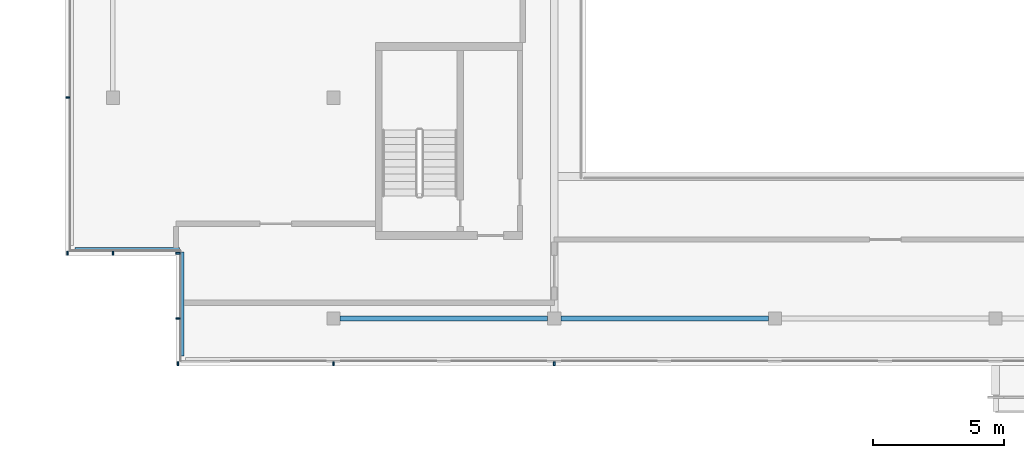
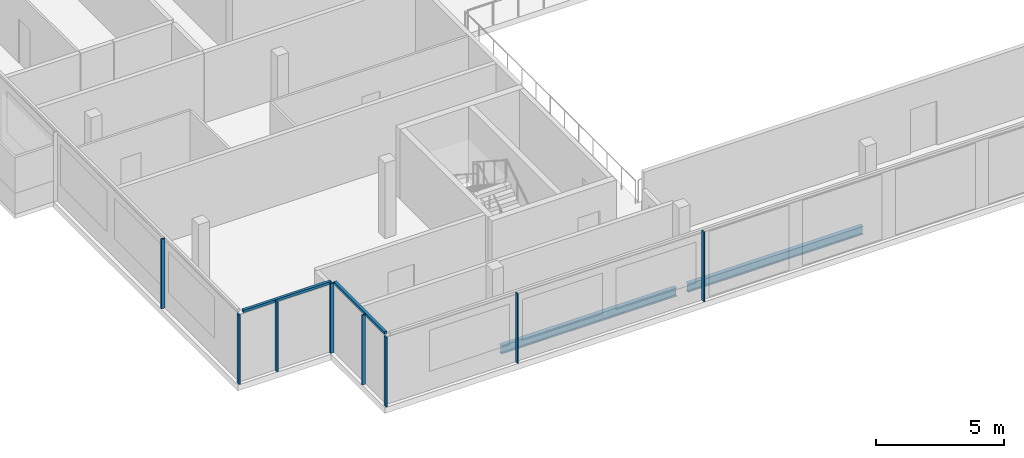
# One storey, part 2 of 21: 10 members, 2 beams, 4 elements without a shape of their own.
"""IFC4 building model written with IfcOpenShell, lengths in metres."""

import ifcopenshell
import ifcopenshell.guid

model = None  # the IFC model being written
_history = None  # IfcOwnerHistory: only IFC2X3 demands one
_inside = {}  # id of a spatial element -> (the spatial element, [elements in it])
_under = {}  # id of a project, library or spatial element -> (it, [spatial elements below it])
_declared = {}  # id of a project -> (the project, [libraries it declares])
_typed = {}  # id of a type object -> (the type object, [elements of that type])
_made_of = {}  # id of a material, layer set ... -> (it, [elements and type objects made of it])


def new_model(schema):
    """Start an empty IFC model of exactly this schema.

    Asked for "IFC4X3", IfcOpenShell would pick the latest addendum, in which some entities
    have other attributes; the version numbers below select the first issue.
    IFC2X3 requires an IfcOwnerHistory on every rooted entity: one is made here for all.
    """
    global model, _history
    if schema == "IFC4X3":
        model = ifcopenshell.file(schema_version=(4, 3, 0, 0))
    else:
        model = ifcopenshell.file(schema=schema)
    _inside.clear()
    _under.clear()
    _declared.clear()
    _typed.clear()
    _made_of.clear()
    _history = None
    if model.schema == "IFC2X3":
        org = make("IfcOrganization", Name="unknown")
        user = make(
            "IfcPersonAndOrganization",
            ThePerson=make("IfcPerson", FamilyName="unknown"),
            TheOrganization=org,
        )
        app = make(
            "IfcApplication",
            ApplicationDeveloper=org,
            Version="unknown",
            ApplicationFullName="unknown",
            ApplicationIdentifier="unknown",
        )
        _history = make(
            "IfcOwnerHistory",
            OwningUser=user,
            OwningApplication=app,
            ChangeAction="ADDED",
            CreationDate=0,
        )
    return model


def make(cls, **values):
    """One entity of the class cls with the attributes given. An attribute that is None is left unset."""
    return model.create_entity(
        cls, **{name: value for name, value in values.items() if value is not None}
    )


def rooted(cls, **values):
    """An entity with a GlobalId (a new one), such as an element, a storey or a relation."""
    return make(cls, GlobalId=ifcopenshell.guid.new(), OwnerHistory=_history, **values)


def si_unit(unit_type, name, prefix=None):
    """IfcSIUnit, for example si_unit("LENGTHUNIT", "METRE", prefix="MILLI")."""
    return make("IfcSIUnit", UnitType=unit_type, Prefix=prefix, Name=name)


def assignment(units):
    """IfcUnitAssignment: the units of a project."""
    return None if units is None else make("IfcUnitAssignment", Units=units)


def point(xyz):
    """IfcCartesianPoint."""
    return None if xyz is None else make("IfcCartesianPoint", Coordinates=xyz)


def direction(xyz):
    """IfcDirection."""
    return None if xyz is None else make("IfcDirection", DirectionRatios=xyz)


def frame(location, z_axis=None, x_axis=None):
    """IfcAxis2Placement3D, a coordinate frame: its origin and axes. An axis left out is left unset."""
    return make(
        "IfcAxis2Placement3D",
        Location=point(location),
        Axis=direction(z_axis),
        RefDirection=direction(x_axis),
    )


def frame_2d(location, x_axis=None):
    """IfcAxis2Placement2D, a coordinate frame in the plane: its origin and x axis."""
    return make(
        "IfcAxis2Placement2D", Location=point(location), RefDirection=direction(x_axis)
    )


def origin():
    """The frame at (0, 0, 0) with its axes left unset."""
    return frame((0.0, 0.0, 0.0))


def origin_2d():
    """The frame at (0, 0) in the plane with its x axis left unset."""
    return frame_2d((0.0, 0.0))


def place(relative_to, where):
    """IfcLocalPlacement: puts the frame where relative to a parent placement (None: the world)."""
    return make(
        "IfcLocalPlacement", PlacementRelTo=relative_to, RelativePlacement=where
    )


def context(
    kind, dimensions, precision=None, world=None, true_north=None, identifier=None
):
    """IfcGeometricRepresentationContext, for example the 3D "Model" context."""
    return make(
        "IfcGeometricRepresentationContext",
        ContextIdentifier=identifier,
        ContextType=kind,
        CoordinateSpaceDimension=dimensions,
        Precision=precision,
        WorldCoordinateSystem=world,
        TrueNorth=true_north,
    )


def subcontext(parent, identifier, kind, view, scale=None):
    """IfcGeometricRepresentationSubContext, for example "Body" below "Model"."""
    return make(
        "IfcGeometricRepresentationSubContext",
        ContextIdentifier=identifier,
        ContextType=kind,
        ParentContext=parent,
        TargetScale=scale,
        TargetView=view,
    )


def project(units=None, contexts=None):
    """IfcProject with its units and contexts."""
    return rooted(
        "IfcProject",
        Name="project",
        RepresentationContexts=contexts,
        UnitsInContext=assignment(units),
    )


def spatial(cls, under=None, at=None, **own):
    """A site, building, storey or space (cls), placed at a placement, below another one or the project."""
    s = rooted(cls, ObjectPlacement=at, **own)
    if under is not None:
        _under.setdefault(under.id(), (under, []))[1].append(s)
    return s


def profile(cls, at=None, kind="AREA", **sizes):
    """A parametric profile (cls). Its sizes go by their IFC names, for example OverallWidth=200.0."""
    return make(cls, ProfileType=kind, Position=at, **sizes)


def rectangle(**sizes):
    """IfcRectangleProfileDef."""
    return profile("IfcRectangleProfileDef", **sizes)


def i_section(**sizes):
    """IfcIShapeProfileDef."""
    return profile("IfcIShapeProfileDef", **sizes)


def extrude(swept, where, along, depth):
    """IfcExtrudedAreaSolid: the profile swept, set in the frame where, extruded along a direction by depth."""
    return make(
        "IfcExtrudedAreaSolid",
        SweptArea=swept,
        Position=where,
        ExtrudedDirection=direction(along),
        Depth=depth,
    )


def shape(context_of_items, identifier, shape_type, items):
    """IfcShapeRepresentation: the items that make up one representation, for example the "Body"."""
    return make(
        "IfcShapeRepresentation",
        ContextOfItems=context_of_items,
        RepresentationIdentifier=identifier,
        RepresentationType=shape_type,
        Items=items,
    )


def material(Name=None, Category=None):
    """IfcMaterial."""
    return make("IfcMaterial", Name=Name, Category=Category)


def material_profile(
    of_material, cross_section, Name=None, Category=None, Priority=None
):
    """IfcMaterialProfile: a cross section and its material."""
    return make(
        "IfcMaterialProfile",
        Name=Name,
        Material=of_material,
        Profile=cross_section,
        Priority=Priority,
        Category=Category,
    )


def profile_set(profiles, Name=None, composite=None):
    """IfcMaterialProfileSet."""
    return make(
        "IfcMaterialProfileSet",
        Name=Name,
        MaterialProfiles=profiles,
        CompositeProfile=composite,
    )


def made_of(thing, what):
    """Note that an element or type object is made of a material, layer set ...; save() writes the relation."""
    if what is not None:
        _made_of.setdefault(what.id(), (what, []))[1].append(thing)
    return thing


def type_object(cls, material=None, **own):
    """A type object (cls), such as IfcWallType, which elements share."""
    return made_of(rooted(cls, **own), material)


def element(
    cls,
    number,
    at=None,
    inside=None,
    cuts=None,
    type_object=None,
    material=None,
    context=None,
    identifier="Body",
    shape_type=None,
    held_by="IfcProductDefinitionShape",
    body=None,
    shapes=None,
    **own,
):
    """One element of the class cls, such as IfcWall. Its Tag is "e" and its number.

    at: its placement. inside: the storey or other place that contains it. cuts: it is an
    opening in that element (IfcRelVoidsElement). A single representation is given by context,
    identifier, shape_type and body (its items); several are given by shapes. held_by: the class
    of the entity that holds the representations. save() writes the other relations.
    """
    e = rooted(cls, Tag="e%d" % number, ObjectPlacement=at, **own)
    if body is not None:
        shapes = [shape(context, identifier, shape_type, body)]
    if shapes is not None:
        e.Representation = make(held_by, Representations=shapes)
    if inside is not None:
        _inside.setdefault(inside.id(), (inside, []))[1].append(e)
    if cuts is not None:
        rooted(
            "IfcRelVoidsElement", RelatingBuildingElement=cuts, RelatedOpeningElement=e
        )
    if type_object is not None:
        _typed.setdefault(type_object.id(), (type_object, []))[1].append(e)
    return made_of(e, material)


def aggregate(whole, parts):
    """IfcRelAggregates: a whole, such as a stair, and the parts it consists of."""
    return rooted("IfcRelAggregates", RelatingObject=whole, RelatedObjects=parts)


def save(model, path):
    """Write the relations noted so far, then the file.

    IfcRelAggregates (storeys below a building ...), IfcRelContainedInSpatialStructure (elements
    in a storey), IfcRelDefinesByType, IfcRelAssociatesMaterial and IfcRelDeclares: one each for
    every whole, place, type object, material and project.
    """
    for whole, parts in _under.values():
        aggregate(whole, parts)
    for where, things in _inside.values():
        rooted(
            "IfcRelContainedInSpatialStructure",
            RelatedElements=things,
            RelatingStructure=where,
        )
    for kind, things in _typed.values():
        rooted("IfcRelDefinesByType", RelatedObjects=things, RelatingType=kind)
    for what, things in _made_of.values():
        rooted("IfcRelAssociatesMaterial", RelatedObjects=things, RelatingMaterial=what)
    for by, libraries in _declared.values():
        rooted("IfcRelDeclares", RelatingContext=by, RelatedDefinitions=libraries)
    model.write(path)


model = new_model("IFC4")

# Units and contexts
model_context = context("Model", 3, precision=1e-05, world=origin(), true_north=direction((0.0, 1.0)))
body_context = subcontext(model_context, "Body", "Model", "MODEL_VIEW")
ifc_project = project(units=[si_unit("LENGTHUNIT", "METRE"), si_unit("AREAUNIT", "SQUARE_METRE"), si_unit("VOLUMEUNIT", "CUBIC_METRE"), si_unit("PLANEANGLEUNIT", "RADIAN"), si_unit("MASSUNIT", "GRAM", prefix="KILO")], contexts=[model_context])

# Site, building, storey
site_placement = place(None, origin())
site = spatial("IfcSite", under=ifc_project, at=site_placement, CompositionType="ELEMENT")
building_placement = place(site_placement, origin())
building = spatial("IfcBuilding", under=site, at=building_placement, Name="Saffron Gate Tower", CompositionType="ELEMENT")
storey_placement = place(building_placement, frame((0.0, 0.0, 288.75)))
storey = spatial("IfcBuildingStorey", under=building, at=storey_placement, Name="L70", CompositionType="ELEMENT", Elevation=288.75)

# Beams
ifc_material_1 = material(Name="Structural steel S355", Category="steel")
ifc_material_profile_1 = material_profile(ifc_material_1, i_section(OverallWidth=0.179931640625, OverallDepth=0.39990234375, WebThickness=0.008544921875, FlangeThickness=0.013427734375, FilletRadius=0.02099609375, at=origin_2d()))
ifc_profile_set_1 = profile_set([ifc_material_profile_1], Name="Structural steel S355")
beam_type = type_object("IfcBeamType", Name="B5 IPE 400", PredefinedType="SPANDREL", material=ifc_profile_set_1)
for number, where, z_axis, x_axis, name in (
    (1, (66.85009765625, 40.199951171875, -0.47998046875), (1.0, 0.0, 0.0), (0.0, 1.0, 0.0), "B5 SPANDREL BEAM"),
    (2, (75.25, 40.199951171875, -0.47998046875), (1.0, 0.0, 0.0), (0.0, 1.0, 0.0), "B5 SPANDREL BEAM"),
):
    element("IfcBeam", number, at=place(storey_placement, frame(where, z_axis=z_axis, x_axis=x_axis)), inside=storey, type_object=beam_type, Name=name, PredefinedType="SPANDREL", context=body_context, shape_type="SweptSolid", body=[
        extrude(i_section(OverallWidth=0.179931640625, OverallDepth=0.39990234375, WebThickness=0.008544921875, FlangeThickness=0.013427734375, FilletRadius=0.02099609375, at=origin_2d()), origin(), (0.0, 0.0, 1.0), 7.89990234375),
    ])

# Curtain wall, members
ifc_material_2 = material(Name="Aluminium, bronze anodised", Category="aluminium")
curtain_wall_type_1 = type_object("IfcCurtainWallType", Name="CWS1 curtain wall front facade", PredefinedType="NOTDEFINED", material=ifc_material_2)
curtain_wall_1_placement = place(storey_placement, origin())
curtain_wall_1 = element("IfcCurtainWall", 3, at=curtain_wall_1_placement, inside=storey, type_object=curtain_wall_type_1, Name="CWS1 run 1", PredefinedType="NOTDEFINED")
ifc_material_profile_2 = material_profile(ifc_material_2, rectangle(XDim=0.159912109375, YDim=0.06005859375, at=origin_2d()))
ifc_profile_set_2 = profile_set([ifc_material_profile_2], Name="Aluminium, bronze anodised")
member_type_1 = type_object("IfcMemberType", Name="CWS1 mullion 60x160", PredefinedType="MULLION", material=ifc_profile_set_2)
member_1_placement = place(storey_placement, frame((60.679931640625, 38.47998046875, 0.0), z_axis=(0.0, 0.0, 1.0), x_axis=(0.0, 1.0, 0.0)))
member_1 = element("IfcMember", 4, at=member_1_placement, type_object=member_type_1, Name="CWS1 mullion 1", PredefinedType="MULLION", context=body_context, shape_type="SweptSolid", body=[
    extrude(rectangle(XDim=0.159912109375, YDim=0.06005859375, at=origin_2d()), origin(), (0.0, 0.0, 1.0), 3.320068359375),
])
member_2_placement = place(storey_placement, frame((66.60009765625, 38.47998046875, 0.0), z_axis=(0.0, 0.0, 1.0), x_axis=(0.0, 1.0, 0.0)))
member_2 = element("IfcMember", 5, at=member_2_placement, type_object=member_type_1, Name="CWS1 mullion 2", PredefinedType="MULLION", context=body_context, shape_type="SweptSolid", body=[
    extrude(rectangle(XDim=0.159912109375, YDim=0.06005859375, at=origin_2d()), origin(), (0.0, 0.0, 1.0), 3.320068359375),
])
member_3_placement = place(storey_placement, frame((75.0, 38.47998046875, 0.0), z_axis=(0.0, 0.0, 1.0), x_axis=(0.0, 1.0, 0.0)))
member_3 = element("IfcMember", 6, at=member_3_placement, type_object=member_type_1, Name="CWS1 mullion 3", PredefinedType="MULLION", context=body_context, shape_type="SweptSolid", body=[
    extrude(rectangle(XDim=0.159912109375, YDim=0.06005859375, at=origin_2d()), origin(), (0.0, 0.0, 1.0), 3.320068359375),
])
aggregate(curtain_wall_1, [member_1, member_2, member_3])

# Curtain wall, member
curtain_wall_type_2 = type_object("IfcCurtainWallType", Name="CWS2 curtain wall side facades", PredefinedType="NOTDEFINED", material=ifc_material_2)
curtain_wall_2_placement = place(storey_placement, origin())
curtain_wall_2 = element("IfcCurtainWall", 7, at=curtain_wall_2_placement, inside=storey, type_object=curtain_wall_type_2, Name="CWS2 run 10", PredefinedType="NOTDEFINED")
ifc_material_profile_3 = material_profile(ifc_material_2, rectangle(XDim=0.159912109375, YDim=0.06005859375, at=origin_2d()))
ifc_profile_set_3 = profile_set([ifc_material_profile_3], Name="Aluminium, bronze anodised")
member_type_2 = type_object("IfcMemberType", Name="CWS2 mullion 60x160", PredefinedType="MULLION", material=ifc_profile_set_3)
member_4_placement = place(storey_placement, frame((56.47998046875, 48.60009765625, 0.0), z_axis=(0.0, 0.0, 1.0), x_axis=(1.0, 0.0, 0.0)))
member_4 = element("IfcMember", 8, at=member_4_placement, type_object=member_type_2, Name="CWS2 mullion 4", PredefinedType="MULLION", context=body_context, shape_type="SweptSolid", body=[
    extrude(rectangle(XDim=0.159912109375, YDim=0.06005859375, at=origin_2d()), origin(), (0.0, 0.0, 1.0), 3.320068359375),
])
aggregate(curtain_wall_2, [member_4])

curtain_wall_type_3 = type_object("IfcCurtainWallType", Name="CWS4 curtain wall corner returns", PredefinedType="NOTDEFINED", material=ifc_material_2)
curtain_wall_3_placement = place(storey_placement, origin())
curtain_wall_3 = element("IfcCurtainWall", 9, at=curtain_wall_3_placement, inside=storey, type_object=curtain_wall_type_3, Name="CWS4 run 11", PredefinedType="NOTDEFINED")
ifc_material_profile_4 = material_profile(ifc_material_2, rectangle(XDim=0.1201171875, YDim=0.1201171875, at=origin_2d()))
ifc_profile_set_4 = profile_set([ifc_material_profile_4], Name="Aluminium, bronze anodised")
member_type_3 = type_object("IfcMemberType", Name="CWS4 head transom", PredefinedType="USERDEFINED", material=ifc_profile_set_4)
member_5_placement = place(storey_placement, frame((56.76806640625, 42.847900390625, 3.260009765625), z_axis=(1.0, 0.0, 0.0), x_axis=(0.0, 1.0, 0.0)))
member_5 = element("IfcMember", 10, at=member_5_placement, type_object=member_type_3, Name="CWS4 head transom", ObjectType="TRANSOM", PredefinedType="USERDEFINED", context=body_context, shape_type="SweptSolid", body=[
    extrude(rectangle(XDim=0.1201171875, YDim=0.1201171875, at=origin_2d()), origin(), (0.0, 0.0, 1.0), 3.9599609375),
])

curtain_wall_4_placement = place(storey_placement, origin())
curtain_wall_4 = element("IfcCurtainWall", 11, at=curtain_wall_4_placement, inside=storey, type_object=curtain_wall_type_3, Name="CWS4 run 12", PredefinedType="NOTDEFINED")
member_6_placement = place(storey_placement, frame((60.847900390625, 42.72802734375, 3.260009765625), z_axis=(0.0, -1.0, 0.0), x_axis=(1.0, 0.0, 0.0)))
member_6 = element("IfcMember", 12, at=member_6_placement, type_object=member_type_3, Name="CWS4 head transom", ObjectType="TRANSOM", PredefinedType="USERDEFINED", context=body_context, shape_type="SweptSolid", body=[
    extrude(rectangle(XDim=0.1201171875, YDim=0.1201171875, at=origin_2d()), origin(), (0.0, 0.0, 1.0), 3.9599609375),
])

# Member
ifc_material_profile_5 = material_profile(ifc_material_2, rectangle(XDim=0.159912109375, YDim=0.06005859375, at=origin_2d()))
ifc_profile_set_5 = profile_set([ifc_material_profile_5], Name="Aluminium, bronze anodised")
member_type_4 = type_object("IfcMemberType", Name="CWS4 mullion 60x160", PredefinedType="MULLION", material=ifc_profile_set_5)
member_7_placement = place(storey_placement, frame((56.47998046875, 42.679931640625, 0.0), z_axis=(0.0, 0.0, 1.0), x_axis=(0.0, 1.0, 0.0)))
member_7 = element("IfcMember", 13, at=member_7_placement, type_object=member_type_4, Name="CWS4 mullion 1", PredefinedType="MULLION", context=body_context, shape_type="SweptSolid", body=[
    extrude(rectangle(XDim=0.159912109375, YDim=0.06005859375, at=origin_2d()), origin(), (0.0, 0.0, 1.0), 3.320068359375),
])

member_8_placement = place(storey_placement, frame((58.199951171875, 42.679931640625, 0.0), z_axis=(0.0, 0.0, 1.0), x_axis=(0.0, 1.0, 0.0)))
member_8 = element("IfcMember", 14, at=member_8_placement, type_object=member_type_4, Name="CWS4 mullion 2", PredefinedType="MULLION", context=body_context, shape_type="SweptSolid", body=[
    extrude(rectangle(XDim=0.159912109375, YDim=0.06005859375, at=origin_2d()), origin(), (0.0, 0.0, 1.0), 3.320068359375),
])

aggregate(curtain_wall_3, [member_7, member_8, member_5])

member_9_placement = place(storey_placement, frame((60.679931640625, 42.679931640625, 0.0), z_axis=(0.0, 0.0, 1.0), x_axis=(1.0, 0.0, 0.0)))
member_9 = element("IfcMember", 15, at=member_9_placement, type_object=member_type_4, Name="CWS4 mullion 1", PredefinedType="MULLION", context=body_context, shape_type="SweptSolid", body=[
    extrude(rectangle(XDim=0.159912109375, YDim=0.06005859375, at=origin_2d()), origin(), (0.0, 0.0, 1.0), 3.320068359375),
])

member_10_placement = place(storey_placement, frame((60.679931640625, 40.199951171875, 0.0), z_axis=(0.0, 0.0, 1.0), x_axis=(1.0, 0.0, 0.0)))
member_10 = element("IfcMember", 16, at=member_10_placement, type_object=member_type_4, Name="CWS4 mullion 2", PredefinedType="MULLION", context=body_context, shape_type="SweptSolid", body=[
    extrude(rectangle(XDim=0.159912109375, YDim=0.06005859375, at=origin_2d()), origin(), (0.0, 0.0, 1.0), 3.320068359375),
])

aggregate(curtain_wall_4, [member_9, member_10, member_6])

save(model, "model.ifc")
